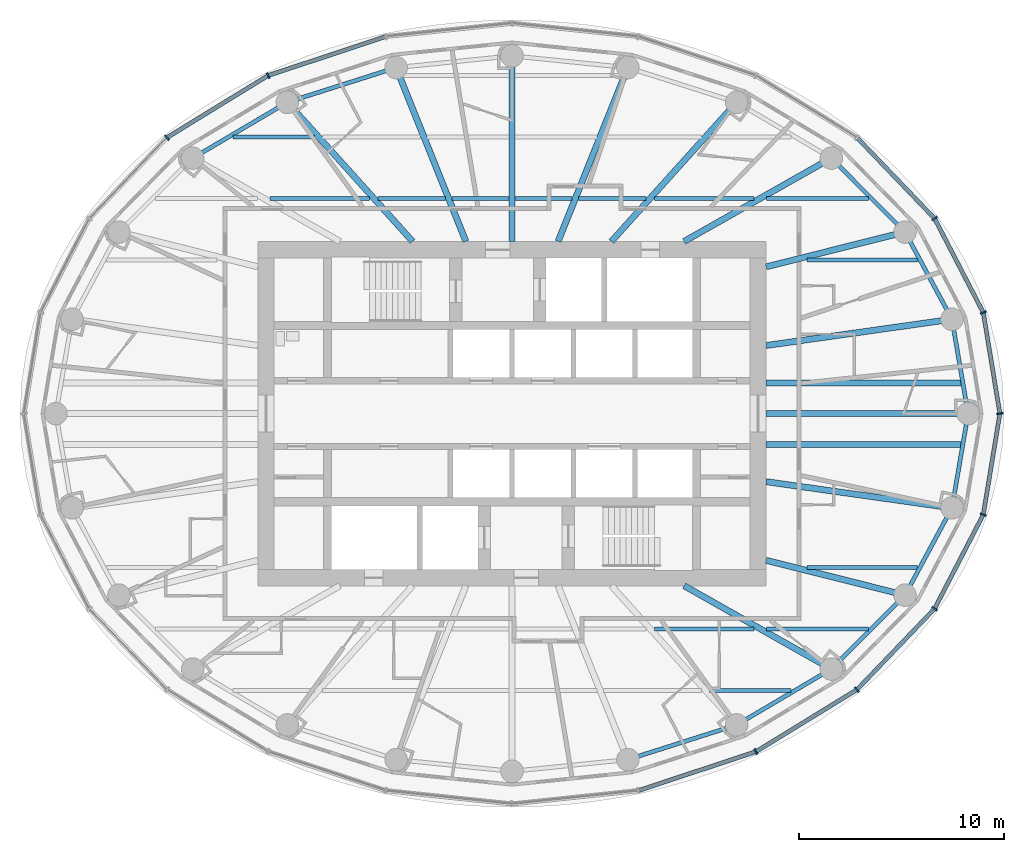
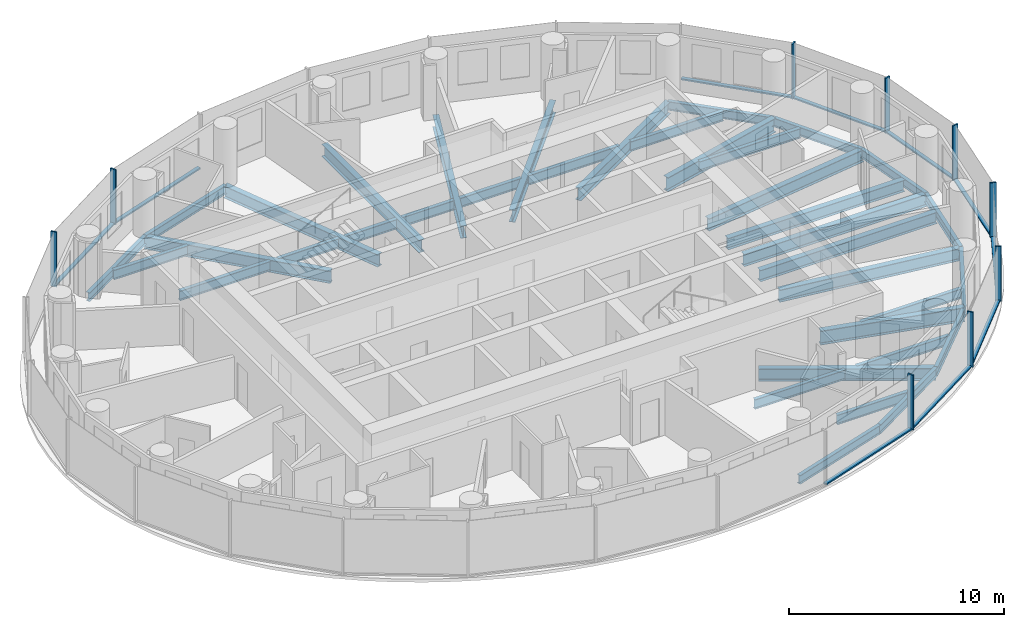
# One storey, part 3 of 14: 37 beams, 19 members, 3 elements without a shape of their own.
"""IFC4 building model written with IfcOpenShell, lengths in metres."""

import ifcopenshell
import ifcopenshell.guid

model = None  # the IFC model being written
_history = None  # IfcOwnerHistory: only IFC2X3 demands one
_inside = {}  # id of a spatial element -> (the spatial element, [elements in it])
_under = {}  # id of a project, library or spatial element -> (it, [spatial elements below it])
_declared = {}  # id of a project -> (the project, [libraries it declares])
_typed = {}  # id of a type object -> (the type object, [elements of that type])
_made_of = {}  # id of a material, layer set ... -> (it, [elements and type objects made of it])


def new_model(schema):
    """Start an empty IFC model of exactly this schema.

    Asked for "IFC4X3", IfcOpenShell would pick the latest addendum, in which some entities
    have other attributes; the version numbers below select the first issue.
    IFC2X3 requires an IfcOwnerHistory on every rooted entity: one is made here for all.
    """
    global model, _history
    if schema == "IFC4X3":
        model = ifcopenshell.file(schema_version=(4, 3, 0, 0))
    else:
        model = ifcopenshell.file(schema=schema)
    _inside.clear()
    _under.clear()
    _declared.clear()
    _typed.clear()
    _made_of.clear()
    _history = None
    if model.schema == "IFC2X3":
        org = make("IfcOrganization", Name="unknown")
        user = make(
            "IfcPersonAndOrganization",
            ThePerson=make("IfcPerson", FamilyName="unknown"),
            TheOrganization=org,
        )
        app = make(
            "IfcApplication",
            ApplicationDeveloper=org,
            Version="unknown",
            ApplicationFullName="unknown",
            ApplicationIdentifier="unknown",
        )
        _history = make(
            "IfcOwnerHistory",
            OwningUser=user,
            OwningApplication=app,
            ChangeAction="ADDED",
            CreationDate=0,
        )
    return model


def make(cls, **values):
    """One entity of the class cls with the attributes given. An attribute that is None is left unset."""
    return model.create_entity(
        cls, **{name: value for name, value in values.items() if value is not None}
    )


def rooted(cls, **values):
    """An entity with a GlobalId (a new one), such as an element, a storey or a relation."""
    return make(cls, GlobalId=ifcopenshell.guid.new(), OwnerHistory=_history, **values)


def si_unit(unit_type, name, prefix=None):
    """IfcSIUnit, for example si_unit("LENGTHUNIT", "METRE", prefix="MILLI")."""
    return make("IfcSIUnit", UnitType=unit_type, Prefix=prefix, Name=name)


def assignment(units):
    """IfcUnitAssignment: the units of a project."""
    return None if units is None else make("IfcUnitAssignment", Units=units)


def point(xyz):
    """IfcCartesianPoint."""
    return None if xyz is None else make("IfcCartesianPoint", Coordinates=xyz)


def direction(xyz):
    """IfcDirection."""
    return None if xyz is None else make("IfcDirection", DirectionRatios=xyz)


def frame(location, z_axis=None, x_axis=None):
    """IfcAxis2Placement3D, a coordinate frame: its origin and axes. An axis left out is left unset."""
    return make(
        "IfcAxis2Placement3D",
        Location=point(location),
        Axis=direction(z_axis),
        RefDirection=direction(x_axis),
    )


def frame_2d(location, x_axis=None):
    """IfcAxis2Placement2D, a coordinate frame in the plane: its origin and x axis."""
    return make(
        "IfcAxis2Placement2D", Location=point(location), RefDirection=direction(x_axis)
    )


def origin():
    """The frame at (0, 0, 0) with its axes left unset."""
    return frame((0.0, 0.0, 0.0))


def origin_2d():
    """The frame at (0, 0) in the plane with its x axis left unset."""
    return frame_2d((0.0, 0.0))


def place(relative_to, where):
    """IfcLocalPlacement: puts the frame where relative to a parent placement (None: the world)."""
    return make(
        "IfcLocalPlacement", PlacementRelTo=relative_to, RelativePlacement=where
    )


def context(
    kind, dimensions, precision=None, world=None, true_north=None, identifier=None
):
    """IfcGeometricRepresentationContext, for example the 3D "Model" context."""
    return make(
        "IfcGeometricRepresentationContext",
        ContextIdentifier=identifier,
        ContextType=kind,
        CoordinateSpaceDimension=dimensions,
        Precision=precision,
        WorldCoordinateSystem=world,
        TrueNorth=true_north,
    )


def subcontext(parent, identifier, kind, view, scale=None):
    """IfcGeometricRepresentationSubContext, for example "Body" below "Model"."""
    return make(
        "IfcGeometricRepresentationSubContext",
        ContextIdentifier=identifier,
        ContextType=kind,
        ParentContext=parent,
        TargetScale=scale,
        TargetView=view,
    )


def project(units=None, contexts=None):
    """IfcProject with its units and contexts."""
    return rooted(
        "IfcProject",
        Name="project",
        RepresentationContexts=contexts,
        UnitsInContext=assignment(units),
    )


def spatial(cls, under=None, at=None, **own):
    """A site, building, storey or space (cls), placed at a placement, below another one or the project."""
    s = rooted(cls, ObjectPlacement=at, **own)
    if under is not None:
        _under.setdefault(under.id(), (under, []))[1].append(s)
    return s


def profile(cls, at=None, kind="AREA", **sizes):
    """A parametric profile (cls). Its sizes go by their IFC names, for example OverallWidth=200.0."""
    return make(cls, ProfileType=kind, Position=at, **sizes)


def rectangle(**sizes):
    """IfcRectangleProfileDef."""
    return profile("IfcRectangleProfileDef", **sizes)


def i_section(**sizes):
    """IfcIShapeProfileDef."""
    return profile("IfcIShapeProfileDef", **sizes)


def extrude(swept, where, along, depth):
    """IfcExtrudedAreaSolid: the profile swept, set in the frame where, extruded along a direction by depth."""
    return make(
        "IfcExtrudedAreaSolid",
        SweptArea=swept,
        Position=where,
        ExtrudedDirection=direction(along),
        Depth=depth,
    )


def shape(context_of_items, identifier, shape_type, items):
    """IfcShapeRepresentation: the items that make up one representation, for example the "Body"."""
    return make(
        "IfcShapeRepresentation",
        ContextOfItems=context_of_items,
        RepresentationIdentifier=identifier,
        RepresentationType=shape_type,
        Items=items,
    )


def material(Name=None, Category=None):
    """IfcMaterial."""
    return make("IfcMaterial", Name=Name, Category=Category)


def material_profile(
    of_material, cross_section, Name=None, Category=None, Priority=None
):
    """IfcMaterialProfile: a cross section and its material."""
    return make(
        "IfcMaterialProfile",
        Name=Name,
        Material=of_material,
        Profile=cross_section,
        Priority=Priority,
        Category=Category,
    )


def profile_set(profiles, Name=None, composite=None):
    """IfcMaterialProfileSet."""
    return make(
        "IfcMaterialProfileSet",
        Name=Name,
        MaterialProfiles=profiles,
        CompositeProfile=composite,
    )


def made_of(thing, what):
    """Note that an element or type object is made of a material, layer set ...; save() writes the relation."""
    if what is not None:
        _made_of.setdefault(what.id(), (what, []))[1].append(thing)
    return thing


def type_object(cls, material=None, **own):
    """A type object (cls), such as IfcWallType, which elements share."""
    return made_of(rooted(cls, **own), material)


def element(
    cls,
    number,
    at=None,
    inside=None,
    cuts=None,
    type_object=None,
    material=None,
    context=None,
    identifier="Body",
    shape_type=None,
    held_by="IfcProductDefinitionShape",
    body=None,
    shapes=None,
    **own,
):
    """One element of the class cls, such as IfcWall. Its Tag is "e" and its number.

    at: its placement. inside: the storey or other place that contains it. cuts: it is an
    opening in that element (IfcRelVoidsElement). A single representation is given by context,
    identifier, shape_type and body (its items); several are given by shapes. held_by: the class
    of the entity that holds the representations. save() writes the other relations.
    """
    e = rooted(cls, Tag="e%d" % number, ObjectPlacement=at, **own)
    if body is not None:
        shapes = [shape(context, identifier, shape_type, body)]
    if shapes is not None:
        e.Representation = make(held_by, Representations=shapes)
    if inside is not None:
        _inside.setdefault(inside.id(), (inside, []))[1].append(e)
    if cuts is not None:
        rooted(
            "IfcRelVoidsElement", RelatingBuildingElement=cuts, RelatedOpeningElement=e
        )
    if type_object is not None:
        _typed.setdefault(type_object.id(), (type_object, []))[1].append(e)
    return made_of(e, material)


def aggregate(whole, parts):
    """IfcRelAggregates: a whole, such as a stair, and the parts it consists of."""
    return rooted("IfcRelAggregates", RelatingObject=whole, RelatedObjects=parts)


def save(model, path):
    """Write the relations noted so far, then the file.

    IfcRelAggregates (storeys below a building ...), IfcRelContainedInSpatialStructure (elements
    in a storey), IfcRelDefinesByType, IfcRelAssociatesMaterial and IfcRelDeclares: one each for
    every whole, place, type object, material and project.
    """
    for whole, parts in _under.values():
        aggregate(whole, parts)
    for where, things in _inside.values():
        rooted(
            "IfcRelContainedInSpatialStructure",
            RelatedElements=things,
            RelatingStructure=where,
        )
    for kind, things in _typed.values():
        rooted("IfcRelDefinesByType", RelatedObjects=things, RelatingType=kind)
    for what, things in _made_of.values():
        rooted("IfcRelAssociatesMaterial", RelatedObjects=things, RelatingMaterial=what)
    for by, libraries in _declared.values():
        rooted("IfcRelDeclares", RelatingContext=by, RelatedDefinitions=libraries)
    model.write(path)


model = new_model("IFC4")

# Units and contexts
model_context = context("Model", 3, precision=1e-05, world=origin(), true_north=direction((0.0, 1.0)))
body_context = subcontext(model_context, "Body", "Model", "MODEL_VIEW")
ifc_project = project(units=[si_unit("LENGTHUNIT", "METRE"), si_unit("AREAUNIT", "SQUARE_METRE"), si_unit("VOLUMEUNIT", "CUBIC_METRE"), si_unit("PLANEANGLEUNIT", "RADIAN"), si_unit("MASSUNIT", "GRAM", prefix="KILO")], contexts=[model_context])

# Site, building, storey
site_placement = place(None, origin())
site = spatial("IfcSite", under=ifc_project, at=site_placement, CompositionType="ELEMENT")
building_placement = place(site_placement, origin())
building = spatial("IfcBuilding", under=site, at=building_placement, Name="Hankou Lantern Tower", CompositionType="ELEMENT")
storey_placement = place(building_placement, frame((0.0, 0.0, 179.699951171875)))
storey = spatial("IfcBuildingStorey", under=building, at=storey_placement, Name="L48", CompositionType="ELEMENT", Elevation=179.699951171875)

# Beams
ifc_material_1 = material(Name="Steel Q355B", Category="steel")
ifc_material_profile_1 = material_profile(ifc_material_1, i_section(OverallWidth=0.199951171875, OverallDepth=0.5, WebThickness=0.010009765625, FlangeThickness=0.01611328125, FilletRadius=0.012939453125, at=origin_2d()), Name="HN500x200x10x16")
ifc_profile_set_1 = profile_set([ifc_material_profile_1], Name="Steel Q355B")
beam_type_1 = type_object("IfcBeamType", Name="EB5 RING BEAM HN500x200x10x16", PredefinedType="SPANDREL", material=ifc_profile_set_1)
beam_1_placement = place(storey_placement, frame((22.25, 0.0, -0.429931640625), z_axis=(-0.168680718946, 0.985670743735, 0.0), x_axis=(-0.985670743735, -0.168680718946, 0.0)))
element("IfcBeam", 1, at=beam_1_placement, inside=storey, type_object=beam_type_1, Name="Ring beam R01-R02 L48", PredefinedType="SPANDREL", context=body_context, shape_type="SweptSolid", body=[
    extrude(i_section(OverallWidth=0.199951171875, OverallDepth=0.5, WebThickness=0.010009765625, FlangeThickness=0.01611328125, FilletRadius=0.012939453125, at=origin_2d()), origin(), (0.0, 0.0, 1.0), 4.667724609375),
])
beam_2_placement = place(storey_placement, frame((21.462646484375, 4.600830078125, -0.429931640625), z_axis=(-0.474051612334, 0.880497057828, 0.0), x_axis=(-0.880497057828, -0.474051612334, 0.0)))
element("IfcBeam", 2, at=beam_2_placement, inside=storey, type_object=beam_type_1, Name="Ring beam R02-R03 L48", PredefinedType="SPANDREL", context=body_context, shape_type="SweptSolid", body=[
    extrude(i_section(OverallWidth=0.199951171875, OverallDepth=0.5, WebThickness=0.010009765625, FlangeThickness=0.01611328125, FilletRadius=0.012939453125, at=origin_2d()), origin(), (0.0, 0.0, 1.0), 4.831787109375),
])
beam_3_placement = place(storey_placement, frame((19.172119140625, 8.855224609375, -0.429931640625), z_axis=(-0.706147278092, 0.708064984054, 0.0), x_axis=(-0.708064984054, -0.706147278092, 0.0)))
element("IfcBeam", 3, at=beam_3_placement, inside=storey, type_object=beam_type_1, Name="Ring beam R03-R04 L48", PredefinedType="SPANDREL", context=body_context, shape_type="SweptSolid", body=[
    extrude(i_section(OverallWidth=0.199951171875, OverallDepth=0.5, WebThickness=0.010009765625, FlangeThickness=0.01611328125, FilletRadius=0.012939453125, at=origin_2d()), origin(), (0.0, 0.0, 1.0), 5.09228515625),
])
beam_4_placement = place(storey_placement, frame((-5.65283203125, 16.87744140625, -0.429931640625), z_axis=(-0.952790404271, -0.30362879562, 0.0), x_axis=(0.30362879562, -0.952790404271, 0.0)))
element("IfcBeam", 4, at=beam_4_placement, inside=storey, type_object=beam_type_1, Name="Ring beam R08-R09 L48", PredefinedType="SPANDREL", context=body_context, shape_type="SweptSolid", body=[
    extrude(i_section(OverallWidth=0.199951171875, OverallDepth=0.5, WebThickness=0.010009765625, FlangeThickness=0.01611328125, FilletRadius=0.012939453125, at=origin_2d()), origin(), (0.0, 0.0, 1.0), 5.56982421875),
])
beam_5_placement = place(storey_placement, frame((-10.959716796875, 15.186279296875, -0.429931640625), z_axis=(-0.861135888339, -0.508374843806, 0.0), x_axis=(0.508374843806, -0.861135888339, 0.0)))
element("IfcBeam", 5, at=beam_5_placement, inside=storey, type_object=beam_type_1, Name="Ring beam R09-R10 L48", PredefinedType="SPANDREL", context=body_context, shape_type="SweptSolid", body=[
    extrude(i_section(OverallWidth=0.199951171875, OverallDepth=0.5, WebThickness=0.010009765625, FlangeThickness=0.01611328125, FilletRadius=0.012939453125, at=origin_2d()), origin(), (0.0, 0.0, 1.0), 5.36083984375),
])
beam_6_placement = place(storey_placement, frame((5.65283203125, -16.87744140625, -0.429931640625), z_axis=(0.952790404271, 0.30362879562, 0.0), x_axis=(-0.30362879562, 0.952790404271, 0.0)))
element("IfcBeam", 6, at=beam_6_placement, inside=storey, type_object=beam_type_1, Name="Ring beam R20-R21 L48", PredefinedType="SPANDREL", context=body_context, shape_type="SweptSolid", body=[
    extrude(i_section(OverallWidth=0.199951171875, OverallDepth=0.5, WebThickness=0.010009765625, FlangeThickness=0.01611328125, FilletRadius=0.012939453125, at=origin_2d()), origin(), (0.0, 0.0, 1.0), 5.56982421875),
])
beam_7_placement = place(storey_placement, frame((10.959716796875, -15.186279296875, -0.429931640625), z_axis=(0.861135888339, 0.508374843806, 0.0), x_axis=(-0.508374843806, 0.861135888339, 0.0)))
element("IfcBeam", 7, at=beam_7_placement, inside=storey, type_object=beam_type_1, Name="Ring beam R21-R22 L48", PredefinedType="SPANDREL", context=body_context, shape_type="SweptSolid", body=[
    extrude(i_section(OverallWidth=0.199951171875, OverallDepth=0.5, WebThickness=0.010009765625, FlangeThickness=0.01611328125, FilletRadius=0.012939453125, at=origin_2d()), origin(), (0.0, 0.0, 1.0), 5.36083984375),
])
beam_8_placement = place(storey_placement, frame((15.576171875, -12.4609375, -0.429931640625), z_axis=(0.706147278092, 0.708064984054, 0.0), x_axis=(-0.708064984054, 0.706147278092, 0.0)))
element("IfcBeam", 8, at=beam_8_placement, inside=storey, type_object=beam_type_1, Name="Ring beam R22-R23 L48", PredefinedType="SPANDREL", context=body_context, shape_type="SweptSolid", body=[
    extrude(i_section(OverallWidth=0.199951171875, OverallDepth=0.5, WebThickness=0.010009765625, FlangeThickness=0.01611328125, FilletRadius=0.012939453125, at=origin_2d()), origin(), (0.0, 0.0, 1.0), 5.09228515625),
])
beam_9_placement = place(storey_placement, frame((19.172119140625, -8.855224609375, -0.429931640625), z_axis=(0.474051612334, 0.880497057828, 0.0), x_axis=(-0.880497057828, 0.474051612334, 0.0)))
element("IfcBeam", 9, at=beam_9_placement, inside=storey, type_object=beam_type_1, Name="Ring beam R23-R24 L48", PredefinedType="SPANDREL", context=body_context, shape_type="SweptSolid", body=[
    extrude(i_section(OverallWidth=0.199951171875, OverallDepth=0.5, WebThickness=0.010009765625, FlangeThickness=0.01611328125, FilletRadius=0.012939453125, at=origin_2d()), origin(), (0.0, 0.0, 1.0), 4.831787109375),
])
beam_10_placement = place(storey_placement, frame((21.462646484375, -4.600830078125, -0.429931640625), z_axis=(0.168680718946, 0.985670743735, 0.0), x_axis=(-0.985670743735, 0.168680718946, 0.0)))
element("IfcBeam", 10, at=beam_10_placement, inside=storey, type_object=beam_type_1, Name="Ring beam R24-R01 L48", PredefinedType="SPANDREL", context=body_context, shape_type="SweptSolid", body=[
    extrude(i_section(OverallWidth=0.199951171875, OverallDepth=0.5, WebThickness=0.010009765625, FlangeThickness=0.01611328125, FilletRadius=0.012939453125, at=origin_2d()), origin(), (0.0, 0.0, 1.0), 4.667724609375),
])

# Curtain wall, members
ifc_material_2 = material(Name="Glass, dark grey tinted laminated", Category="glass")
curtain_wall_type = type_object("IfcCurtainWallType", Name="CWC OUTER SKIN HIGH-RISE", PredefinedType="USERDEFINED", material=ifc_material_2)
curtain_wall_1_placement = place(storey_placement, origin())
curtain_wall_1 = element("IfcCurtainWall", 11, at=curtain_wall_1_placement, inside=storey, type_object=curtain_wall_type, Name="CWC L48 OS1", ObjectType="OUTER SKIN HIGH-RISE", PredefinedType="USERDEFINED")
ifc_material_3 = material(Name="Aluminium, black anodised", Category="aluminium")
ifc_material_profile_2 = material_profile(ifc_material_3, rectangle(XDim=0.080078125, YDim=0.300048828125, at=origin_2d()), Name="MU1 80X300")
ifc_profile_set_2 = profile_set([ifc_material_profile_2], Name="Aluminium, black anodised")
member_type_1 = type_object("IfcMemberType", Name="MU1 OUTER SKIN MULLION 80X300", PredefinedType="MULLION", material=ifc_profile_set_2)
member_1_placement = place(storey_placement, frame((23.800048828125, 0.0, 0.0), z_axis=(0.0, 0.0, 1.0), x_axis=(-0.162381515188, 0.986728049427, 0.0)))
member_1 = element("IfcMember", 12, at=member_1_placement, type_object=member_type_1, Name="CWC mullion 1", PredefinedType="MULLION", context=body_context, shape_type="SweptSolid", body=[
    extrude(rectangle(XDim=0.080078125, YDim=0.300048828125, at=origin_2d()), origin(), (0.0, 0.0, 1.0), 3.1201171875),
])
member_2_placement = place(storey_placement, frame((22.989013671875, 4.927978515625, 0.0), z_axis=(0.0, 0.0, 1.0), x_axis=(-0.317595577365, 0.94822626479, 0.0)))
member_2 = element("IfcMember", 13, at=member_2_placement, type_object=member_type_1, Name="CWC mullion 2", PredefinedType="MULLION", context=body_context, shape_type="SweptSolid", body=[
    extrude(rectangle(XDim=0.080078125, YDim=0.300048828125, at=origin_2d()), origin(), (0.0, 0.0, 1.0), 3.1201171875),
])
member_3_placement = place(storey_placement, frame((20.611328125, 9.52001953125, 0.0), z_axis=(0.0, 0.0, 1.0), x_axis=(-0.585205735974, 0.810884854084, 0.0)))
member_3 = element("IfcMember", 14, at=member_3_placement, type_object=member_type_1, Name="CWC mullion 3", PredefinedType="MULLION", context=body_context, shape_type="SweptSolid", body=[
    extrude(rectangle(XDim=0.080078125, YDim=0.300048828125, at=origin_2d()), origin(), (0.0, 0.0, 1.0), 3.1201171875),
])

curtain_wall_2_placement = place(storey_placement, origin())
curtain_wall_2 = element("IfcCurtainWall", 15, at=curtain_wall_2_placement, inside=storey, type_object=curtain_wall_type, Name="CWC L48 OS2", ObjectType="OUTER SKIN HIGH-RISE", PredefinedType="USERDEFINED")
member_4_placement = place(storey_placement, frame((-11.89990234375, 16.489013671875, 0.0), z_axis=(0.0, 0.0, 1.0), x_axis=(-0.907841299004, -0.419313934686, 0.0)))
member_4 = element("IfcMember", 16, at=member_4_placement, type_object=member_type_1, Name="CWC mullion 3", PredefinedType="MULLION", context=body_context, shape_type="SweptSolid", body=[
    extrude(rectangle(XDim=0.080078125, YDim=0.300048828125, at=origin_2d()), origin(), (0.0, 0.0, 1.0), 3.1201171875),
])
member_5_placement = place(storey_placement, frame((-16.8291015625, 13.46337890625, 0.0), z_axis=(0.0, 0.0, 1.0), x_axis=(-0.780868809444, -0.624695047553, 0.0)))
member_5 = element("IfcMember", 17, at=member_5_placement, type_object=member_type_1, Name="CWC mullion 4", PredefinedType="MULLION", context=body_context, shape_type="SweptSolid", body=[
    extrude(rectangle(XDim=0.080078125, YDim=0.300048828125, at=origin_2d()), origin(), (0.0, 0.0, 1.0), 3.1201171875),
])

curtain_wall_3_placement = place(storey_placement, origin())
curtain_wall_3 = element("IfcCurtainWall", 18, at=curtain_wall_3_placement, inside=storey, type_object=curtain_wall_type, Name="CWC L48 OS4", ObjectType="OUTER SKIN HIGH-RISE", PredefinedType="USERDEFINED")
member_6_placement = place(storey_placement, frame((11.89990234375, -16.489013671875, 0.0), z_axis=(0.0, 0.0, 1.0), x_axis=(0.907841299004, 0.419313934686, 0.0)))
member_6 = element("IfcMember", 19, at=member_6_placement, type_object=member_type_1, Name="CWC mullion 3", PredefinedType="MULLION", context=body_context, shape_type="SweptSolid", body=[
    extrude(rectangle(XDim=0.080078125, YDim=0.300048828125, at=origin_2d()), origin(), (0.0, 0.0, 1.0), 3.1201171875),
])
member_7_placement = place(storey_placement, frame((16.8291015625, -13.46337890625, 0.0), z_axis=(0.0, 0.0, 1.0), x_axis=(0.780868809444, 0.624695047553, 0.0)))
member_7 = element("IfcMember", 20, at=member_7_placement, type_object=member_type_1, Name="CWC mullion 4", PredefinedType="MULLION", context=body_context, shape_type="SweptSolid", body=[
    extrude(rectangle(XDim=0.080078125, YDim=0.300048828125, at=origin_2d()), origin(), (0.0, 0.0, 1.0), 3.1201171875),
])
member_8_placement = place(storey_placement, frame((20.611328125, -9.52001953125, 0.0), z_axis=(0.0, 0.0, 1.0), x_axis=(0.585205735974, 0.810884854084, 0.0)))
member_8 = element("IfcMember", 21, at=member_8_placement, type_object=member_type_1, Name="CWC mullion 5", PredefinedType="MULLION", context=body_context, shape_type="SweptSolid", body=[
    extrude(rectangle(XDim=0.080078125, YDim=0.300048828125, at=origin_2d()), origin(), (0.0, 0.0, 1.0), 3.1201171875),
])
member_9_placement = place(storey_placement, frame((22.989013671875, -4.927978515625, 0.0), z_axis=(0.0, 0.0, 1.0), x_axis=(0.317595577365, 0.94822626479, 0.0)))
member_9 = element("IfcMember", 22, at=member_9_placement, type_object=member_type_1, Name="CWC mullion 6", PredefinedType="MULLION", context=body_context, shape_type="SweptSolid", body=[
    extrude(rectangle(XDim=0.080078125, YDim=0.300048828125, at=origin_2d()), origin(), (0.0, 0.0, 1.0), 3.1201171875),
])

# Beams
ifc_material_4 = material(Name="Steel Q355B", Category="steel")
ifc_material_profile_3 = material_profile(ifc_material_4, i_section(OverallWidth=0.300048828125, OverallDepth=0.800048828125, WebThickness=0.013916015625, FlangeThickness=0.02587890625, FilletRadius=0.01806640625, at=origin_2d()), Name="HN800x300x14x26")
ifc_profile_set_3 = profile_set([ifc_material_profile_3], Name="Steel Q355B")
beam_type_2 = type_object("IfcBeamType", Name="RB11 RADIAL BEAM HN800x300x14x26", PredefinedType="BEAM", material=ifc_profile_set_3)
for number, where, z_axis, x_axis, name in (
    (23, (12.39990234375, 7.1591796875, -0.579833984375), (0.970041619568, 0.242938791274, 0.0), (-0.242938791274, 0.970041619568, 0.0), "Radial beam R03 L48"),
    (24, (12.39990234375, -7.1591796875, -0.579833984375), (0.970041619568, -0.242938791274, 0.0), (0.242938791274, 0.970041619568, 0.0), "Radial beam R23 L48"),
):
    element("IfcBeam", number, at=place(storey_placement, frame(where, z_axis=z_axis, x_axis=x_axis)), inside=storey, type_object=beam_type_2, Name=name, PredefinedType="BEAM", context=body_context, shape_type="SweptSolid", body=[
        extrude(i_section(OverallWidth=0.300048828125, OverallDepth=0.800048828125, WebThickness=0.013916015625, FlangeThickness=0.02587890625, FilletRadius=0.01806640625, at=origin_2d()), origin(), (0.0, 0.0, 1.0), 6.9814453125),
    ])
ifc_material_5 = material(Name="Steel Q355B", Category="steel")
ifc_material_profile_4 = material_profile(ifc_material_5, i_section(OverallWidth=0.300048828125, OverallDepth=0.699951171875, WebThickness=0.012939453125, FlangeThickness=0.02392578125, FilletRadius=0.01806640625, at=origin_2d()), Name="HN700x300x13x24")
ifc_profile_set_4 = profile_set([ifc_material_profile_4], Name="Steel Q355B")
beam_type_3 = type_object("IfcBeamType", Name="RB9 RADIAL BEAM HN700x300x13x24", PredefinedType="BEAM", material=ifc_profile_set_4)
beam_11_placement = place(storey_placement, frame((12.39990234375, 0.0, -0.530029296875), z_axis=(1.0, 0.0, 0.0), x_axis=(0.0, 1.0, 0.0)))
element("IfcBeam", 25, at=beam_11_placement, inside=storey, type_object=beam_type_3, Name="Radial beam R01 L48", PredefinedType="BEAM", context=body_context, shape_type="SweptSolid", body=[
    extrude(i_section(OverallWidth=0.300048828125, OverallDepth=0.699951171875, WebThickness=0.012939453125, FlangeThickness=0.02392578125, FilletRadius=0.01806640625, at=origin_2d()), origin(), (0.0, 0.0, 1.0), 9.85009765625),
])
beam_12_placement = place(storey_placement, frame((12.39990234375, 3.322509765625, -0.530029296875), z_axis=(0.990198154617, 0.13966966239, 0.0), x_axis=(-0.13966966239, 0.990198154617, 0.0)))
element("IfcBeam", 26, at=beam_12_placement, inside=storey, type_object=beam_type_3, Name="Radial beam R02 L48", PredefinedType="BEAM", context=body_context, shape_type="SweptSolid", body=[
    extrude(i_section(OverallWidth=0.300048828125, OverallDepth=0.699951171875, WebThickness=0.012939453125, FlangeThickness=0.02392578125, FilletRadius=0.01806640625, at=origin_2d()), origin(), (0.0, 0.0, 1.0), 9.15234375),
])
beam_13_placement = place(storey_placement, frame((8.39990234375, 8.39990234375, -0.530029296875), z_axis=(0.870309058024, 0.492505983234, 0.0), x_axis=(-0.492505983234, 0.870309058024, 0.0)))
element("IfcBeam", 27, at=beam_13_placement, inside=storey, type_object=beam_type_3, Name="Radial beam R04 L48", PredefinedType="BEAM", context=body_context, shape_type="SweptSolid", body=[
    extrude(i_section(OverallWidth=0.300048828125, OverallDepth=0.699951171875, WebThickness=0.012939453125, FlangeThickness=0.02392578125, FilletRadius=0.01806640625, at=origin_2d()), origin(), (0.0, 0.0, 1.0), 8.24560546875),
])
beam_14_placement = place(storey_placement, frame((4.849853515625, 8.39990234375, -0.530029296875), z_axis=(0.669093231314, 0.743178476418, 0.0), x_axis=(-0.743178476418, 0.669093231314, 0.0)))
element("IfcBeam", 28, at=beam_14_placement, inside=storey, type_object=beam_type_3, Name="Radial beam R05 L48", PredefinedType="BEAM", context=body_context, shape_type="SweptSolid", body=[
    extrude(i_section(OverallWidth=0.300048828125, OverallDepth=0.699951171875, WebThickness=0.012939453125, FlangeThickness=0.02392578125, FilletRadius=0.01806640625, at=origin_2d()), origin(), (0.0, 0.0, 1.0), 9.131591796875),
])
beam_15_placement = place(storey_placement, frame((2.250732421875, 8.39990234375, -0.530029296875), z_axis=(0.372436468133, 0.928057690666, 0.0), x_axis=(-0.928057690666, 0.372436468133, 0.0)))
element("IfcBeam", 29, at=beam_15_placement, inside=storey, type_object=beam_type_3, Name="Radial beam R06 L48", PredefinedType="BEAM", context=body_context, shape_type="SweptSolid", body=[
    extrude(i_section(OverallWidth=0.300048828125, OverallDepth=0.699951171875, WebThickness=0.012939453125, FlangeThickness=0.02392578125, FilletRadius=0.01806640625, at=origin_2d()), origin(), (0.0, 0.0, 1.0), 9.134765625),
])
beam_16_placement = place(storey_placement, frame((0.0, 8.39990234375, -0.530029296875), z_axis=(0.0, 1.0, 0.0), x_axis=(-1.0, 0.0, 0.0)))
element("IfcBeam", 30, at=beam_16_placement, inside=storey, type_object=beam_type_3, Name="Radial beam R07 L48", PredefinedType="BEAM", context=body_context, shape_type="SweptSolid", body=[
    extrude(i_section(OverallWidth=0.300048828125, OverallDepth=0.699951171875, WebThickness=0.012939453125, FlangeThickness=0.02392578125, FilletRadius=0.01806640625, at=origin_2d()), origin(), (0.0, 0.0, 1.0), 9.050048828125),
])
beam_17_placement = place(storey_placement, frame((-2.250732421875, 8.39990234375, -0.530029296875), z_axis=(-0.372436468133, 0.928057690666, 0.0), x_axis=(-0.928057690666, -0.372436468133, 0.0)))
element("IfcBeam", 31, at=beam_17_placement, inside=storey, type_object=beam_type_3, Name="Radial beam R08 L48", PredefinedType="BEAM", context=body_context, shape_type="SweptSolid", body=[
    extrude(i_section(OverallWidth=0.300048828125, OverallDepth=0.699951171875, WebThickness=0.012939453125, FlangeThickness=0.02392578125, FilletRadius=0.01806640625, at=origin_2d()), origin(), (0.0, 0.0, 1.0), 9.134765625),
])
beam_18_placement = place(storey_placement, frame((-4.849853515625, 8.39990234375, -0.530029296875), z_axis=(-0.669093231314, 0.743178476418, 0.0), x_axis=(-0.743178476418, -0.669093231314, 0.0)))
element("IfcBeam", 32, at=beam_18_placement, inside=storey, type_object=beam_type_3, Name="Radial beam R09 L48", PredefinedType="BEAM", context=body_context, shape_type="SweptSolid", body=[
    extrude(i_section(OverallWidth=0.300048828125, OverallDepth=0.699951171875, WebThickness=0.012939453125, FlangeThickness=0.02392578125, FilletRadius=0.01806640625, at=origin_2d()), origin(), (0.0, 0.0, 1.0), 9.131591796875),
])
beam_19_placement = place(storey_placement, frame((8.39990234375, -8.39990234375, -0.530029296875), z_axis=(0.870309058024, -0.492505983234, 0.0), x_axis=(0.492505983234, 0.870309058024, 0.0)))
element("IfcBeam", 33, at=beam_19_placement, inside=storey, type_object=beam_type_3, Name="Radial beam R22 L48", PredefinedType="BEAM", context=body_context, shape_type="SweptSolid", body=[
    extrude(i_section(OverallWidth=0.300048828125, OverallDepth=0.699951171875, WebThickness=0.012939453125, FlangeThickness=0.02392578125, FilletRadius=0.01806640625, at=origin_2d()), origin(), (0.0, 0.0, 1.0), 8.24560546875),
])
beam_20_placement = place(storey_placement, frame((12.39990234375, -3.322509765625, -0.530029296875), z_axis=(0.990198154617, -0.13966966239, 0.0), x_axis=(0.13966966239, 0.990198154617, 0.0)))
element("IfcBeam", 34, at=beam_20_placement, inside=storey, type_object=beam_type_3, Name="Radial beam R24 L48", PredefinedType="BEAM", context=body_context, shape_type="SweptSolid", body=[
    extrude(i_section(OverallWidth=0.300048828125, OverallDepth=0.699951171875, WebThickness=0.012939453125, FlangeThickness=0.02392578125, FilletRadius=0.01806640625, at=origin_2d()), origin(), (0.0, 0.0, 1.0), 9.15234375),
])
ifc_material_6 = material(Name="Steel Q355B", Category="steel")
ifc_material_profile_5 = material_profile(ifc_material_6, i_section(OverallWidth=0.199951171875, OverallDepth=0.550048828125, WebThickness=0.010009765625, FlangeThickness=0.01611328125, FilletRadius=0.012939453125, at=origin_2d()), Name="HN550x200x10x16")
ifc_profile_set_5 = profile_set([ifc_material_profile_5], Name="Steel Q355B")
beam_type_4 = type_object("IfcBeamType", Name="SB6 SECONDARY BEAM HN550x200x10x16", PredefinedType="JOIST", material=ifc_profile_set_5)
beam_21_placement = place(storey_placement, frame((9.643310546875, -13.5, -0.454833984375), z_axis=(1.0, 0.0, 0.0), x_axis=(0.0, 1.0, 0.0)))
element("IfcBeam", 35, at=beam_21_placement, inside=storey, type_object=beam_type_4, Name="Floor joist J006 L48", PredefinedType="JOIST", context=body_context, shape_type="SweptSolid", body=[
    extrude(i_section(OverallWidth=0.199951171875, OverallDepth=0.550048828125, WebThickness=0.010009765625, FlangeThickness=0.01611328125, FilletRadius=0.012939453125, at=origin_2d()), origin(), (0.0, 0.0, 1.0), 3.97607421875),
])
beam_22_placement = place(storey_placement, frame((6.9423828125, -10.5, -0.454833984375), z_axis=(1.0, 0.0, 0.0), x_axis=(0.0, 1.0, 0.0)))
element("IfcBeam", 36, at=beam_22_placement, inside=storey, type_object=beam_type_4, Name="Floor joist J013 L48", PredefinedType="JOIST", context=body_context, shape_type="SweptSolid", body=[
    extrude(i_section(OverallWidth=0.199951171875, OverallDepth=0.550048828125, WebThickness=0.010009765625, FlangeThickness=0.01611328125, FilletRadius=0.012939453125, at=origin_2d()), origin(), (0.0, 0.0, 1.0), 4.864013671875),
])
beam_23_placement = place(storey_placement, frame((12.41552734375, -10.5, -0.454833984375), z_axis=(1.0, 0.0, 0.0), x_axis=(0.0, 1.0, 0.0)))
element("IfcBeam", 37, at=beam_23_placement, inside=storey, type_object=beam_type_4, Name="Floor joist J014 L48", PredefinedType="JOIST", context=body_context, shape_type="SweptSolid", body=[
    extrude(i_section(OverallWidth=0.199951171875, OverallDepth=0.550048828125, WebThickness=0.010009765625, FlangeThickness=0.01611328125, FilletRadius=0.012939453125, at=origin_2d()), origin(), (0.0, 0.0, 1.0), 4.97509765625),
])
for number, where, z_axis, x_axis, name in (
    (38, (14.37841796875, -7.5, -0.454833984375), (1.0, 0.0, 0.0), (0.0, 1.0, 0.0), "Floor joist J016 L48"),
    (39, (14.37841796875, 7.5, -0.454833984375), (1.0, 0.0, 0.0), (0.0, 1.0, 0.0), "Floor joist J026 L48"),
):
    element("IfcBeam", number, at=place(storey_placement, frame(where, z_axis=z_axis, x_axis=x_axis)), inside=storey, type_object=beam_type_4, Name=name, PredefinedType="JOIST", context=body_context, shape_type="SweptSolid", body=[
        extrude(i_section(OverallWidth=0.199951171875, OverallDepth=0.550048828125, WebThickness=0.010009765625, FlangeThickness=0.01611328125, FilletRadius=0.012939453125, at=origin_2d()), origin(), (0.0, 0.0, 1.0), 5.409912109375),
    ])
beam_24_placement = place(storey_placement, frame((-11.806396484375, 10.5, -0.454833984375), z_axis=(1.0, 0.0, 0.0), x_axis=(0.0, 1.0, 0.0)))
element("IfcBeam", 40, at=beam_24_placement, inside=storey, type_object=beam_type_4, Name="Floor joist J028 L48", PredefinedType="JOIST", context=body_context, shape_type="SweptSolid", body=[
    extrude(i_section(OverallWidth=0.199951171875, OverallDepth=0.550048828125, WebThickness=0.010009765625, FlangeThickness=0.01611328125, FilletRadius=0.012939453125, at=origin_2d()), origin(), (0.0, 0.0, 1.0), 4.864013671875),
])
beam_25_placement = place(storey_placement, frame((-6.53857421875, 10.5, -0.454833984375), z_axis=(1.0, 0.0, 0.0), x_axis=(0.0, 1.0, 0.0)))
element("IfcBeam", 41, at=beam_25_placement, inside=storey, type_object=beam_type_4, Name="Floor joist J029 L48", PredefinedType="JOIST", context=body_context, shape_type="SweptSolid", body=[
    extrude(i_section(OverallWidth=0.199951171875, OverallDepth=0.550048828125, WebThickness=0.010009765625, FlangeThickness=0.01611328125, FilletRadius=0.012939453125, at=origin_2d()), origin(), (0.0, 0.0, 1.0), 3.283447265625),
])
for number, where, z_axis, x_axis, name in (
    (42, (-2.931884765625, 10.5, -0.454833984375), (1.0, 0.0, 0.0), (0.0, 1.0, 0.0), "Floor joist J030 L48"),
    (43, (0.14990234375, 10.5, -0.454833984375), (1.0, 0.0, 0.0), (0.0, 1.0, 0.0), "Floor joist J031 L48"),
):
    element("IfcBeam", number, at=place(storey_placement, frame(where, z_axis=z_axis, x_axis=x_axis)), inside=storey, type_object=beam_type_4, Name=name, PredefinedType="JOIST", context=body_context, shape_type="SweptSolid", body=[
        extrude(i_section(OverallWidth=0.199951171875, OverallDepth=0.550048828125, WebThickness=0.010009765625, FlangeThickness=0.01611328125, FilletRadius=0.012939453125, at=origin_2d()), origin(), (0.0, 0.0, 1.0), 2.781982421875),
    ])
beam_26_placement = place(storey_placement, frame((3.255126953125, 10.5, -0.454833984375), z_axis=(1.0, 0.0, 0.0), x_axis=(0.0, 1.0, 0.0)))
element("IfcBeam", 44, at=beam_26_placement, inside=storey, type_object=beam_type_4, Name="Floor joist J032 L48", PredefinedType="JOIST", context=body_context, shape_type="SweptSolid", body=[
    extrude(i_section(OverallWidth=0.199951171875, OverallDepth=0.550048828125, WebThickness=0.010009765625, FlangeThickness=0.01611328125, FilletRadius=0.012939453125, at=origin_2d()), origin(), (0.0, 0.0, 1.0), 3.283447265625),
])
beam_27_placement = place(storey_placement, frame((6.9423828125, 10.5, -0.454833984375), z_axis=(1.0, 0.0, 0.0), x_axis=(0.0, 1.0, 0.0)))
element("IfcBeam", 45, at=beam_27_placement, inside=storey, type_object=beam_type_4, Name="Floor joist J033 L48", PredefinedType="JOIST", context=body_context, shape_type="SweptSolid", body=[
    extrude(i_section(OverallWidth=0.199951171875, OverallDepth=0.550048828125, WebThickness=0.010009765625, FlangeThickness=0.01611328125, FilletRadius=0.012939453125, at=origin_2d()), origin(), (0.0, 0.0, 1.0), 4.864013671875),
])
beam_28_placement = place(storey_placement, frame((12.41552734375, 10.5, -0.454833984375), z_axis=(1.0, 0.0, 0.0), x_axis=(0.0, 1.0, 0.0)))
element("IfcBeam", 46, at=beam_28_placement, inside=storey, type_object=beam_type_4, Name="Floor joist J034 L48", PredefinedType="JOIST", context=body_context, shape_type="SweptSolid", body=[
    extrude(i_section(OverallWidth=0.199951171875, OverallDepth=0.550048828125, WebThickness=0.010009765625, FlangeThickness=0.01611328125, FilletRadius=0.012939453125, at=origin_2d()), origin(), (0.0, 0.0, 1.0), 4.97509765625),
])
beam_29_placement = place(storey_placement, frame((-13.619384765625, 13.5, -0.454833984375), z_axis=(1.0, 0.0, 0.0), x_axis=(0.0, 1.0, 0.0)))
element("IfcBeam", 47, at=beam_29_placement, inside=storey, type_object=beam_type_4, Name="Floor joist J035 L48", PredefinedType="JOIST", context=body_context, shape_type="SweptSolid", body=[
    extrude(i_section(OverallWidth=0.199951171875, OverallDepth=0.550048828125, WebThickness=0.010009765625, FlangeThickness=0.01611328125, FilletRadius=0.012939453125, at=origin_2d()), origin(), (0.0, 0.0, 1.0), 3.97607421875),
])
ifc_material_7 = material(Name="Steel Q355B", Category="steel")
ifc_material_profile_6 = material_profile(ifc_material_7, i_section(OverallWidth=0.300048828125, OverallDepth=0.64990234375, WebThickness=0.010986328125, FlangeThickness=0.01708984375, FilletRadius=0.01806640625, at=origin_2d()), Name="HN650x300x11x17")
ifc_profile_set_6 = profile_set([ifc_material_profile_6], Name="Steel Q355B")
beam_type_5 = type_object("IfcBeamType", Name="SB8 SECONDARY BEAM HN650x300x11x17", PredefinedType="JOIST", material=ifc_profile_set_6)
for number, where, z_axis, x_axis, name in (
    (48, (12.39990234375, -1.5, -0.5048828125), (1.0, 0.0, 0.0), (0.0, 1.0, 0.0), "Floor joist J020 L48"),
    (49, (12.39990234375, 1.5, -0.5048828125), (1.0, 0.0, 0.0), (0.0, 1.0, 0.0), "Floor joist J022 L48"),
):
    element("IfcBeam", number, at=place(storey_placement, frame(where, z_axis=z_axis, x_axis=x_axis)), inside=storey, type_object=beam_type_5, Name=name, PredefinedType="JOIST", context=body_context, shape_type="SweptSolid", body=[
        extrude(i_section(OverallWidth=0.300048828125, OverallDepth=0.64990234375, WebThickness=0.010986328125, FlangeThickness=0.01708984375, FilletRadius=0.01806640625, at=origin_2d()), origin(), (0.0, 0.0, 1.0), 9.491943359375),
    ])

# Member
ifc_material_8 = material(Name="Aluminium, black anodised", Category="aluminium")
ifc_material_profile_7 = material_profile(ifc_material_8, rectangle(XDim=0.199951171875, YDim=0.080078125, at=origin_2d()), Name="TR1 200X80")
ifc_profile_set_7 = profile_set([ifc_material_profile_7], Name="Aluminium, black anodised")
member_type_2 = type_object("IfcMemberType", Name="TR1 OUTER SKIN TRANSOM 200X80", PredefinedType="USERDEFINED", material=ifc_profile_set_7)
member_10_placement = place(storey_placement, frame((23.79345703125, 0.03955078125, 0.0400390625), z_axis=(-0.162360337061, 0.986731534385, 0.0), x_axis=(-0.986731534385, -0.162360337061, 0.0)))
member_10 = element("IfcMember", 50, at=member_10_placement, type_object=member_type_2, Name="CWC transom 1", ObjectType="TRANSOM", PredefinedType="USERDEFINED", context=body_context, shape_type="SweptSolid", body=[
    extrude(rectangle(XDim=0.199951171875, YDim=0.080078125, at=origin_2d()), origin(), (0.0, 0.0, 1.0), 4.9140625),
])

member_11_placement = place(storey_placement, frame((22.970703125, 4.96337890625, 0.0400390625), z_axis=(-0.459790772977, 0.888027277219, 0.0), x_axis=(-0.888027277219, -0.459790772977, 0.0)))
member_11 = element("IfcMember", 51, at=member_11_placement, type_object=member_type_2, Name="CWC transom 2", ObjectType="TRANSOM", PredefinedType="USERDEFINED", context=body_context, shape_type="SweptSolid", body=[
    extrude(rectangle(XDim=0.199951171875, YDim=0.080078125, at=origin_2d()), origin(), (0.0, 0.0, 1.0), 5.091064453125),
])

member_12_placement = place(storey_placement, frame((20.583740234375, 9.548828125, 0.0400390625), z_axis=(-0.692215543831, 0.721690820836, 0.0), x_axis=(-0.721690820836, -0.692215543831, 0.0)))
member_12 = element("IfcMember", 52, at=member_12_placement, type_object=member_type_2, Name="CWC transom 3", ObjectType="TRANSOM", PredefinedType="USERDEFINED", context=body_context, shape_type="SweptSolid", body=[
    extrude(rectangle(XDim=0.199951171875, YDim=0.080078125, at=origin_2d()), origin(), (0.0, 0.0, 1.0), 5.3837890625),
])

aggregate(curtain_wall_1, [member_1, member_2, member_3, member_10, member_11, member_12])

member_13_placement = place(storey_placement, frame((-6.19775390625, 18.378662109375, 0.0400390625), z_axis=(-0.949242327551, -0.314545709849, 0.0), x_axis=(0.314545709849, -0.949242327551, 0.0)))
member_13 = element("IfcMember", 53, at=member_13_placement, type_object=member_type_2, Name="CWC transom 2", ObjectType="TRANSOM", PredefinedType="USERDEFINED", context=body_context, shape_type="SweptSolid", body=[
    extrude(rectangle(XDim=0.199951171875, YDim=0.080078125, at=origin_2d()), origin(), (0.0, 0.0, 1.0), 5.96728515625),
])

member_14_placement = place(storey_placement, frame((-11.93408203125, 16.46826171875, 0.0400390625), z_axis=(-0.852229482357, -0.523168146394, 0.0), x_axis=(0.523168146394, -0.852229482357, 0.0)))
member_14 = element("IfcMember", 54, at=member_14_placement, type_object=member_type_2, Name="CWC transom 3", ObjectType="TRANSOM", PredefinedType="USERDEFINED", context=body_context, shape_type="SweptSolid", body=[
    extrude(rectangle(XDim=0.199951171875, YDim=0.080078125, at=origin_2d()), origin(), (0.0, 0.0, 1.0), 5.703857421875),
])

aggregate(curtain_wall_2, [member_4, member_5, member_13, member_14])

member_15_placement = place(storey_placement, frame((6.19775390625, -18.378662109375, 0.0400390625), z_axis=(0.949242327551, 0.314545709849, 0.0), x_axis=(-0.314545709849, 0.949242327551, 0.0)))
member_15 = element("IfcMember", 55, at=member_15_placement, type_object=member_type_2, Name="CWC transom 2", ObjectType="TRANSOM", PredefinedType="USERDEFINED", context=body_context, shape_type="SweptSolid", body=[
    extrude(rectangle(XDim=0.199951171875, YDim=0.080078125, at=origin_2d()), origin(), (0.0, 0.0, 1.0), 5.96728515625),
])

member_16_placement = place(storey_placement, frame((11.93408203125, -16.46826171875, 0.0400390625), z_axis=(0.852229482357, 0.523168146394, 0.0), x_axis=(-0.523168146394, 0.852229482357, 0.0)))
member_16 = element("IfcMember", 56, at=member_16_placement, type_object=member_type_2, Name="CWC transom 3", ObjectType="TRANSOM", PredefinedType="USERDEFINED", context=body_context, shape_type="SweptSolid", body=[
    extrude(rectangle(XDim=0.199951171875, YDim=0.080078125, at=origin_2d()), origin(), (0.0, 0.0, 1.0), 5.703857421875),
])

member_17_placement = place(storey_placement, frame((16.85693359375, -13.434326171875, 0.0400390625), z_axis=(0.692215543831, 0.721690820836, 0.0), x_axis=(-0.721690820836, 0.692215543831, 0.0)))
member_17 = element("IfcMember", 57, at=member_17_placement, type_object=member_type_2, Name="CWC transom 4", ObjectType="TRANSOM", PredefinedType="USERDEFINED", context=body_context, shape_type="SweptSolid", body=[
    extrude(rectangle(XDim=0.199951171875, YDim=0.080078125, at=origin_2d()), origin(), (0.0, 0.0, 1.0), 5.3837890625),
])

member_18_placement = place(storey_placement, frame((20.6298828125, -9.484375, 0.0400390625), z_axis=(0.459790772977, 0.888027277219, 0.0), x_axis=(-0.888027277219, 0.459790772977, 0.0)))
member_18 = element("IfcMember", 58, at=member_18_placement, type_object=member_type_2, Name="CWC transom 5", ObjectType="TRANSOM", PredefinedType="USERDEFINED", context=body_context, shape_type="SweptSolid", body=[
    extrude(rectangle(XDim=0.199951171875, YDim=0.080078125, at=origin_2d()), origin(), (0.0, 0.0, 1.0), 5.091064453125),
])

member_19_placement = place(storey_placement, frame((22.99560546875, -4.888427734375, 0.0400390625), z_axis=(0.162360337061, 0.986731534385, 0.0), x_axis=(-0.986731534385, 0.162360337061, 0.0)))
member_19 = element("IfcMember", 59, at=member_19_placement, type_object=member_type_2, Name="CWC transom 6", ObjectType="TRANSOM", PredefinedType="USERDEFINED", context=body_context, shape_type="SweptSolid", body=[
    extrude(rectangle(XDim=0.199951171875, YDim=0.080078125, at=origin_2d()), origin(), (0.0, 0.0, 1.0), 4.9140625),
])

aggregate(curtain_wall_3, [member_6, member_7, member_8, member_9, member_15, member_16, member_17, member_18, member_19])

save(model, "model.ifc")
